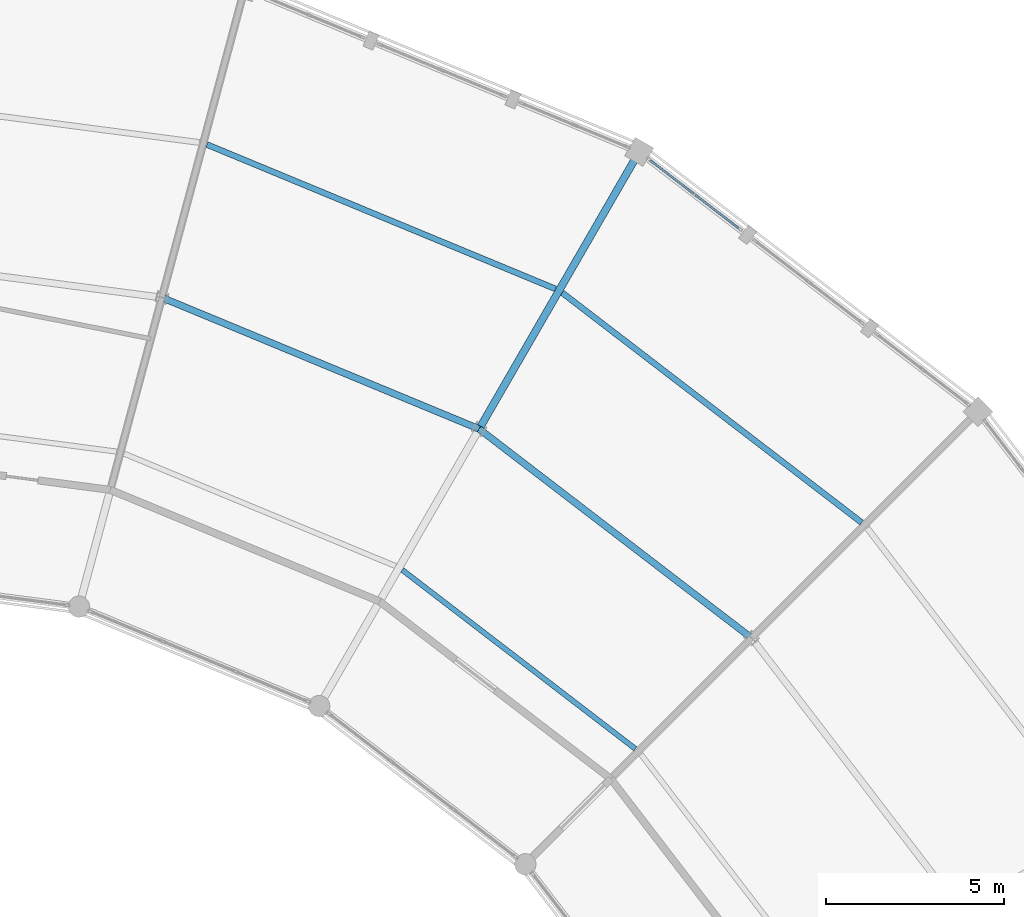
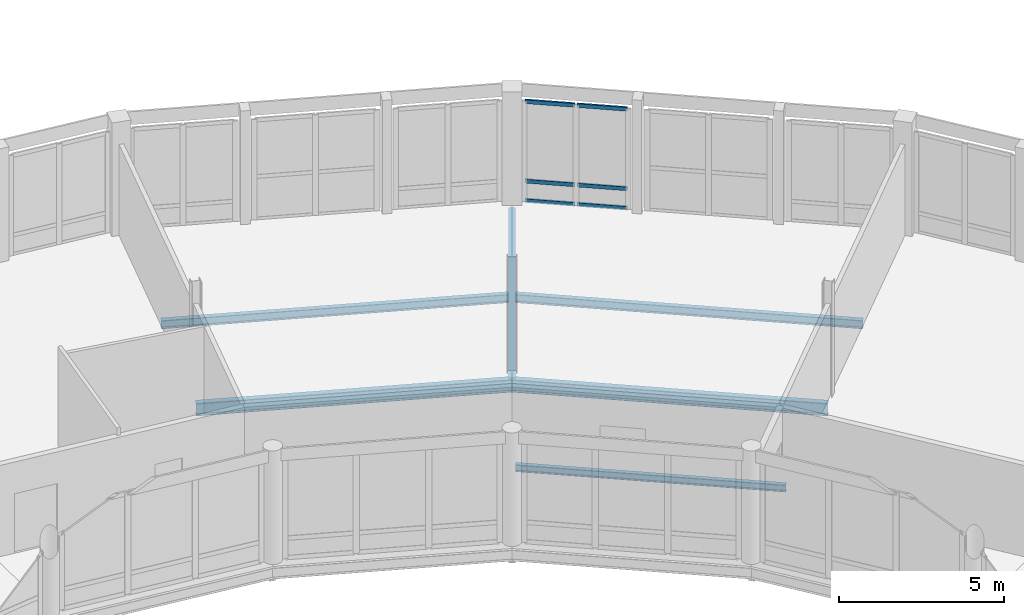
# One storey, part 81 of 170: 6 beams, 6 members, 1 element without a shape of its own.
"""IFC4 building model written with IfcOpenShell, lengths in metres."""

from ifc_helpers import new_model, si_unit, direction, frame, origin, origin_2d, place, context, subcontext, project, spatial, hollow_rectangle, i_section, extrude, material, material_profile, profile_set, type_object, element, aggregate, save


model = new_model("IFC4")

# Units and contexts
model_context = context("Model", 3, precision=1e-05, world=origin(), true_north=direction((0.0, 1.0)))
body_context = subcontext(model_context, "Body", "Model", "MODEL_VIEW")
ifc_project = project(units=[si_unit("LENGTHUNIT", "METRE"), si_unit("AREAUNIT", "SQUARE_METRE"), si_unit("VOLUMEUNIT", "CUBIC_METRE"), si_unit("PLANEANGLEUNIT", "RADIAN"), si_unit("MASSUNIT", "GRAM", prefix="KILO")], contexts=[model_context])

# Site, building, storey
site_placement = place(None, origin())
site = spatial("IfcSite", under=ifc_project, at=site_placement, CompositionType="ELEMENT")
building_placement = place(site_placement, origin())
building = spatial("IfcBuilding", under=site, at=building_placement, Name="Vondelvale Polytechnic", CompositionType="ELEMENT")
storey_placement = place(building_placement, frame((0.0, 0.0, 5.39990234375)))
storey = spatial("IfcBuildingStorey", under=building, at=storey_placement, Name="L01", CompositionType="ELEMENT", Elevation=5.39990234375)

# Beams
ifc_material_1 = material(Name="Steel 300PLUS (fy = 300 MPa)", Category="steel")
ifc_material_profile_1 = material_profile(ifc_material_1, i_section(OverallWidth=0.19091796875, OverallDepth=0.4599609375, WebThickness=0.010009765625, FlangeThickness=0.01611328125, FilletRadius=0.011474609375, at=origin_2d()), Name="460UB82.1")
ifc_profile_set_1 = profile_set([ifc_material_profile_1], Name="Steel 300PLUS (fy = 300 MPa)")
beam_type_1 = type_object("IfcBeamType", Name="BM-UB460H", PredefinedType="BEAM", material=ifc_profile_set_1)
for number, where, z_axis, x_axis, name in (
    (1, (128.1630859375, 98.1630859375, -0.510009765625), (-0.793363832402, 0.60874775518, 0.0), (-0.60874775518, -0.793363832402, 0.0), "L01 RB B-12"),
    (2, (120.5, 104.04296875, -0.510009765625), (-0.923878816854, 0.38268516011, 0.0), (-0.38268516011, -0.923878816854, 0.0), "L01 RB B-12"),
):
    element("IfcBeam", number, at=place(storey_placement, frame(where, z_axis=z_axis, x_axis=x_axis)), inside=storey, type_object=beam_type_1, Name=name, PredefinedType="BEAM", context=body_context, shape_type="SweptSolid", body=[
        extrude(i_section(OverallWidth=0.19091796875, OverallDepth=0.4599609375, WebThickness=0.010009765625, FlangeThickness=0.01611328125, FilletRadius=0.011474609375, at=origin_2d()), origin(), (0.0, 0.0, 1.0), 9.658935546875),
    ])
ifc_material_profile_2 = material_profile(ifc_material_1, i_section(OverallWidth=0.208984375, OverallDepth=0.532958984375, WebThickness=0.01025390625, FlangeThickness=0.015625, FilletRadius=0.013916015625, at=origin_2d()), Name="530UB92.4")
ifc_profile_set_2 = profile_set([ifc_material_profile_2], Name="Steel 300PLUS (fy = 300 MPa)")
beam_type_2 = type_object("IfcBeamType", Name="BM-UB530", PredefinedType="BEAM", material=ifc_profile_set_2)
beam_1_placement = place(storey_placement, frame((120.5, 104.04296875, -0.54638671875), z_axis=(0.5000018851, 0.866024315419, 0.0), x_axis=(-0.866024315419, 0.5000018851, 0.0)))
element("IfcBeam", 3, at=beam_1_placement, inside=storey, type_object=beam_type_2, Name="L01 RG B-11", PredefinedType="BEAM", context=body_context, shape_type="SweptSolid", body=[
    extrude(i_section(OverallWidth=0.208984375, OverallDepth=0.532958984375, WebThickness=0.01025390625, FlangeThickness=0.015625, FilletRadius=0.013916015625, at=origin_2d()), origin(), (0.0, 0.0, 1.0), 9.0),
])

# Curtain wall, members
ifc_material_2 = material(Name="Glulam GL18 structural Tasmanian oak (fb = 42 MPa)", Category="wood")
curtain_wall_type = type_object("IfcCurtainWallType", Name="CW-RING-OUTER", PredefinedType="NOTDEFINED", material=ifc_material_2)
curtain_wall_placement = place(storey_placement, origin())
curtain_wall = element("IfcCurtainWall", 4, at=curtain_wall_placement, inside=storey, type_object=curtain_wall_type, Name="L01 architectural curtain wall CW-04-103", PredefinedType="NOTDEFINED")
ifc_material_3 = material(Name="Anodised extruded aluminium 6063-T6", Category="aluminium")
ifc_material_profile_3 = material_profile(ifc_material_3, hollow_rectangle(XDim=0.06005859375, YDim=0.139892578125, WallThickness=0.00341796875, at=origin_2d()), Name="CW-TRN-140x60")
ifc_profile_set_3 = profile_set([ifc_material_profile_3], Name="Anodised extruded aluminium 6063-T6")
member_type = type_object("IfcMemberType", Name="CW-TRN-60x140", PredefinedType="USERDEFINED", material=ifc_profile_set_3)
member_1_placement = place(storey_placement, frame((127.794677734375, 109.692626953125, 0.030029296875), z_axis=(-0.793305741078, 0.60882345649, 0.0), x_axis=(-0.60882345649, -0.793305741078, 0.0)))
member_1 = element("IfcMember", 5, at=member_1_placement, type_object=member_type, Name="CW-04-103 transom 1.1", ObjectType="TRANSOM", PredefinedType="USERDEFINED", context=body_context, shape_type="SweptSolid", body=[
    extrude(hollow_rectangle(XDim=0.06005859375, YDim=0.139892578125, WallThickness=0.00341796875, at=origin_2d()), origin(), (0.0, 0.0, 1.0), 1.52978515625),
])
member_2_placement = place(storey_placement, frame((127.794677734375, 109.692626953125, 0.75), z_axis=(-0.793305741078, 0.60882345649, 0.0), x_axis=(-0.60882345649, -0.793305741078, 0.0)))
member_2 = element("IfcMember", 6, at=member_2_placement, type_object=member_type, Name="CW-04-103 transom 1.2", ObjectType="TRANSOM", PredefinedType="USERDEFINED", context=body_context, shape_type="SweptSolid", body=[
    extrude(hollow_rectangle(XDim=0.06005859375, YDim=0.139892578125, WallThickness=0.00341796875, at=origin_2d()), origin(), (0.0, 0.0, 1.0), 1.52978515625),
])
member_3_placement = place(storey_placement, frame((127.794677734375, 109.692626953125, 3.690185546875), z_axis=(-0.793305741078, 0.60882345649, 0.0), x_axis=(-0.60882345649, -0.793305741078, 0.0)))
member_3 = element("IfcMember", 7, at=member_3_placement, type_object=member_type, Name="CW-04-103 transom 1.3", ObjectType="TRANSOM", PredefinedType="USERDEFINED", context=body_context, shape_type="SweptSolid", body=[
    extrude(hollow_rectangle(XDim=0.06005859375, YDim=0.139892578125, WallThickness=0.00341796875, at=origin_2d()), origin(), (0.0, 0.0, 1.0), 1.52978515625),
])
member_4_placement = place(storey_placement, frame((126.529296875, 110.66357421875, 0.030029296875), z_axis=(-0.7932286645, 0.608923875222, 0.0), x_axis=(-0.608923875222, -0.7932286645, 0.0)))
member_4 = element("IfcMember", 8, at=member_4_placement, type_object=member_type, Name="CW-04-103 transom 2.1", ObjectType="TRANSOM", PredefinedType="USERDEFINED", context=body_context, shape_type="SweptSolid", body=[
    extrude(hollow_rectangle(XDim=0.06005859375, YDim=0.139892578125, WallThickness=0.00341796875, at=origin_2d()), origin(), (0.0, 0.0, 1.0), 1.530029296875),
])
member_5_placement = place(storey_placement, frame((126.529296875, 110.66357421875, 0.75), z_axis=(-0.7932286645, 0.608923875222, 0.0), x_axis=(-0.608923875222, -0.7932286645, 0.0)))
member_5 = element("IfcMember", 9, at=member_5_placement, type_object=member_type, Name="CW-04-103 transom 2.2", ObjectType="TRANSOM", PredefinedType="USERDEFINED", context=body_context, shape_type="SweptSolid", body=[
    extrude(hollow_rectangle(XDim=0.06005859375, YDim=0.139892578125, WallThickness=0.00341796875, at=origin_2d()), origin(), (0.0, 0.0, 1.0), 1.530029296875),
])
member_6_placement = place(storey_placement, frame((126.529296875, 110.66357421875, 3.690185546875), z_axis=(-0.7932286645, 0.608923875222, 0.0), x_axis=(-0.608923875222, -0.7932286645, 0.0)))
member_6 = element("IfcMember", 10, at=member_6_placement, type_object=member_type, Name="CW-04-103 transom 2.3", ObjectType="TRANSOM", PredefinedType="USERDEFINED", context=body_context, shape_type="SweptSolid", body=[
    extrude(hollow_rectangle(XDim=0.06005859375, YDim=0.139892578125, WallThickness=0.00341796875, at=origin_2d()), origin(), (0.0, 0.0, 1.0), 1.530029296875),
])
aggregate(curtain_wall, [member_1, member_2, member_3, member_4, member_5, member_6])

# Beams
ifc_material_profile_4 = material_profile(ifc_material_1, i_section(OverallWidth=0.14599609375, OverallDepth=0.256103515625, WebThickness=0.00634765625, FlangeThickness=0.010986328125, FilletRadius=0.0087890625, at=origin_2d()), Name="250UB37.3")
ifc_profile_set_4 = profile_set([ifc_material_profile_4], Name="Steel 300PLUS (fy = 300 MPa)")
beam_type_3 = type_object("IfcBeamType", Name="JST-UB250", PredefinedType="JOIST", material=ifc_profile_set_4)
beam_2_placement = place(storey_placement, frame((124.893798828125, 95.048095703125, -0.407958984375), z_axis=(-0.793361419587, 0.608750899721, 0.0), x_axis=(-0.608750899721, -0.793361419587, 0.0)))
element("IfcBeam", 11, at=beam_2_placement, inside=storey, type_object=beam_type_3, Name="L01 RJ J-06", PredefinedType="JOIST", context=body_context, shape_type="SweptSolid", body=[
    extrude(i_section(OverallWidth=0.14599609375, OverallDepth=0.256103515625, WebThickness=0.00634765625, FlangeThickness=0.010986328125, FilletRadius=0.0087890625, at=origin_2d()), origin(), (0.0, 0.0, 1.0), 8.26416015625),
])
ifc_material_profile_5 = material_profile(ifc_material_1, i_section(OverallWidth=0.1650390625, OverallDepth=0.303955078125, WebThickness=0.006103515625, FlangeThickness=0.01025390625, FilletRadius=0.011474609375, at=origin_2d()), Name="310UB40.4")
ifc_profile_set_5 = profile_set([ifc_material_profile_5], Name="Steel 300PLUS (fy = 300 MPa)")
beam_type_4 = type_object("IfcBeamType", Name="JST-UB310", PredefinedType="JOIST", material=ifc_profile_set_5)
beam_3_placement = place(storey_placement, frame((131.257568359375, 101.411865234375, -0.431884765625), z_axis=(-0.793346013368, 0.608770977523, 0.0), x_axis=(-0.608770977523, -0.793346013368, 0.0)))
element("IfcBeam", 12, at=beam_3_placement, inside=storey, type_object=beam_type_4, Name="L01 RJ J-05", PredefinedType="JOIST", context=body_context, shape_type="SweptSolid", body=[
    extrude(i_section(OverallWidth=0.1650390625, OverallDepth=0.303955078125, WebThickness=0.006103515625, FlangeThickness=0.01025390625, FilletRadius=0.011474609375, at=origin_2d()), origin(), (0.0, 0.0, 1.0), 10.613525390625),
])
beam_4_placement = place(storey_placement, frame((122.6484375, 107.982177734375, -0.431884765625), z_axis=(-0.923886751865, 0.382666002839, 0.0), x_axis=(-0.382666002839, -0.923886751865, 0.0)))
element("IfcBeam", 13, at=beam_4_placement, inside=storey, type_object=beam_type_4, Name="L01 RJ J-05", PredefinedType="JOIST", context=body_context, shape_type="SweptSolid", body=[
    extrude(i_section(OverallWidth=0.1650390625, OverallDepth=0.303955078125, WebThickness=0.006103515625, FlangeThickness=0.01025390625, FilletRadius=0.011474609375, at=origin_2d()), origin(), (0.0, 0.0, 1.0), 10.61376953125),
])

save(model, "model.ifc")
